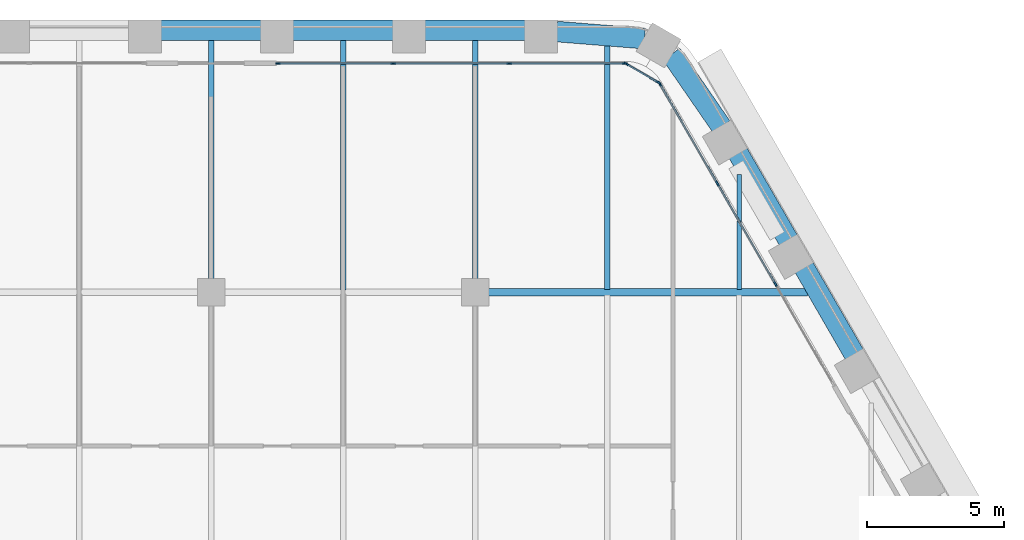
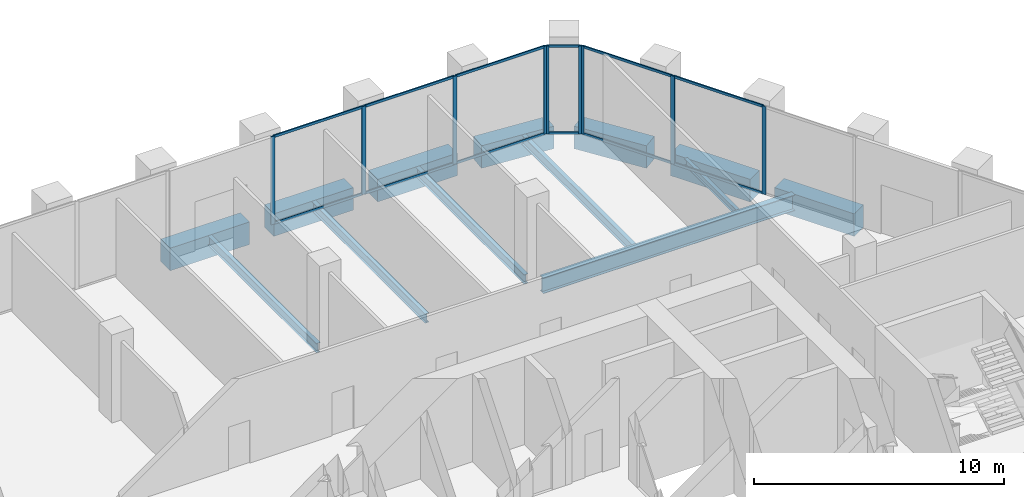
# One storey, part 9 of 22: 21 members, 13 beams, 3 elements without a shape of their own.
"""IFC4 building model written with IfcOpenShell, lengths in metres."""

from ifc_helpers import new_model, si_unit, direction, frame, origin, origin_2d, place, context, subcontext, project, spatial, rectangle, i_section, extrude, material, material_profile, profile_set, type_object, element, aggregate, save


model = new_model("IFC4")

# Units and contexts
model_context = context("Model", 3, precision=1e-05, world=origin(), true_north=direction((0.0, 1.0)))
body_context = subcontext(model_context, "Body", "Model", "MODEL_VIEW")
ifc_project = project(units=[si_unit("LENGTHUNIT", "METRE"), si_unit("AREAUNIT", "SQUARE_METRE"), si_unit("VOLUMEUNIT", "CUBIC_METRE"), si_unit("PLANEANGLEUNIT", "RADIAN"), si_unit("MASSUNIT", "GRAM", prefix="KILO")], contexts=[model_context])

# Site, building, storey
site_placement = place(None, origin())
site = spatial("IfcSite", under=ifc_project, at=site_placement, CompositionType="ELEMENT")
building_placement = place(site_placement, origin())
building = spatial("IfcBuilding", under=site, at=building_placement, Name="Kolab Exchange Tower", CompositionType="ELEMENT")
storey_placement = place(building_placement, frame((0.0, 0.0, 113.89990234375)))
storey = spatial("IfcBuildingStorey", under=building, at=storey_placement, Name="L22", CompositionType="ELEMENT", Elevation=113.89990234375)

# Beams
ifc_material_1 = material(Name="Steel S355", Category="steel")
ifc_material_profile_1 = material_profile(ifc_material_1, i_section(OverallWidth=0.1650390625, OverallDepth=0.31005859375, WebThickness=0.005859375, FlangeThickness=0.009765625, at=origin_2d()), Name="W310X39")
ifc_profile_set_1 = profile_set([ifc_material_profile_1], Name="Steel S355")
beam_type_1 = type_object("IfcBeamType", Name="FLOOR BEAM W310X39", PredefinedType="BEAM", material=ifc_profile_set_1)
beam_1_placement = place(storey_placement, frame((19.199951171875, 19.29345703125, -0.35498046875), z_axis=(0.0, 1.0, 0.0), x_axis=(-1.0, 0.0, 0.0)))
element("IfcBeam", 1, at=beam_1_placement, inside=storey, type_object=beam_type_1, Name="beam/L22/fr/045", PredefinedType="BEAM", context=body_context, shape_type="SweptSolid", body=[
    extrude(i_section(OverallWidth=0.1650390625, OverallDepth=0.31005859375, WebThickness=0.005859375, FlangeThickness=0.009765625, at=origin_2d()), origin(), (0.0, 0.0, 1.0), 4.18798828125),
])
ifc_material_profile_2 = material_profile(ifc_material_1, i_section(OverallWidth=0.18994140625, OverallDepth=0.45703125, WebThickness=0.009033203125, FlangeThickness=0.014404296875, at=origin_2d()), Name="W460X74")
ifc_profile_set_2 = profile_set([ifc_material_profile_2], Name="Steel S355")
beam_type_2 = type_object("IfcBeamType", Name="FLOOR BEAM W460X74", PredefinedType="BEAM", material=ifc_profile_set_2)
beam_2_placement = place(storey_placement, frame((0.0, 19.659912109375, -0.428466796875), z_axis=(0.0, 1.0, 0.0), x_axis=(-1.0, 0.0, 0.0)))
element("IfcBeam", 2, at=beam_2_placement, inside=storey, type_object=beam_type_2, Name="beam/L22/fr/027", PredefinedType="BEAM", context=body_context, shape_type="SweptSolid", body=[
    extrude(i_section(OverallWidth=0.18994140625, OverallDepth=0.45703125, WebThickness=0.009033203125, FlangeThickness=0.014404296875, at=origin_2d()), origin(), (0.0, 0.0, 1.0), 8.728515625),
])
beam_3_placement = place(storey_placement, frame((4.800048828125, 19.27392578125, -0.428466796875), z_axis=(0.0, 1.0, 0.0), x_axis=(-1.0, 0.0, 0.0)))
element("IfcBeam", 3, at=beam_3_placement, inside=storey, type_object=beam_type_2, Name="beam/L22/fr/031", PredefinedType="BEAM", context=body_context, shape_type="SweptSolid", body=[
    extrude(i_section(OverallWidth=0.18994140625, OverallDepth=0.45703125, WebThickness=0.009033203125, FlangeThickness=0.014404296875, at=origin_2d()), origin(), (0.0, 0.0, 1.0), 9.114501953125),
])
beam_4_placement = place(storey_placement, frame((9.60009765625, 19.659912109375, -0.428466796875), z_axis=(0.0, 1.0, 0.0), x_axis=(-1.0, 0.0, 0.0)))
element("IfcBeam", 4, at=beam_4_placement, inside=storey, type_object=beam_type_2, Name="beam/L22/fr/035", PredefinedType="BEAM", context=body_context, shape_type="SweptSolid", body=[
    extrude(i_section(OverallWidth=0.18994140625, OverallDepth=0.45703125, WebThickness=0.009033203125, FlangeThickness=0.014404296875, at=origin_2d()), origin(), (0.0, 0.0, 1.0), 8.728515625),
])
beam_5_placement = place(storey_placement, frame((14.39990234375, 19.29345703125, -0.428466796875), z_axis=(0.0, 1.0, 0.0), x_axis=(-1.0, 0.0, 0.0)))
element("IfcBeam", 5, at=beam_5_placement, inside=storey, type_object=beam_type_2, Name="beam/L22/fr/039", PredefinedType="BEAM", context=body_context, shape_type="SweptSolid", body=[
    extrude(i_section(OverallWidth=0.18994140625, OverallDepth=0.45703125, WebThickness=0.009033203125, FlangeThickness=0.014404296875, at=origin_2d()), origin(), (0.0, 0.0, 1.0), 8.901123046875),
])
ifc_material_profile_3 = material_profile(ifc_material_1, i_section(OverallWidth=0.26708984375, OverallDepth=0.761962890625, WebThickness=0.014404296875, FlangeThickness=0.021484375, at=origin_2d()), Name="W760X173")
ifc_profile_set_3 = profile_set([ifc_material_profile_3], Name="Steel S355")
beam_type_3 = type_object("IfcBeamType", Name="FLOOR GIRDER W760X173", PredefinedType="BEAM", material=ifc_profile_set_3)
beam_6_placement = place(storey_placement, frame((10.06005859375, 19.199951171875, -0.580810546875), z_axis=(1.0, 0.0, 0.0), x_axis=(0.0, 1.0, 0.0)))
element("IfcBeam", 6, at=beam_6_placement, inside=storey, type_object=beam_type_3, Name="beam/L22/gd/013", PredefinedType="BEAM", context=body_context, shape_type="SweptSolid", body=[
    extrude(i_section(OverallWidth=0.26708984375, OverallDepth=0.761962890625, WebThickness=0.014404296875, FlangeThickness=0.021484375, at=origin_2d()), origin(), (0.0, 0.0, 1.0), 11.628662109375),
])
ifc_material_2 = material(Name="Concrete C70/85", Category="concrete")
ifc_material_profile_4 = material_profile(ifc_material_2, rectangle(XDim=0.75, YDim=1.10009765625, at=origin_2d()), Name="RC750X1100")
ifc_profile_set_4 = profile_set([ifc_material_profile_4], Name="Concrete C70/85")
beam_type_4 = type_object("IfcBeamType", Name="SPANDREL BEAM 750X1100 C70/85", PredefinedType="BEAM", material=ifc_profile_set_4)
beam_7_placement = place(storey_placement, frame((-1.840087890625, 28.723388671875, -0.75), z_axis=(1.0, 0.0, 0.0), x_axis=(0.0, 1.0, 0.0)))
element("IfcBeam", 7, at=beam_7_placement, inside=storey, type_object=beam_type_4, Name="beam/L22/sp/F1-04", PredefinedType="BEAM", context=body_context, shape_type="SweptSolid", body=[
    extrude(rectangle(XDim=0.75, YDim=1.10009765625, at=origin_2d()), origin(), (0.0, 0.0, 1.0), 3.68017578125),
])
for number, where, z_axis, x_axis, name in (
    (8, (2.9599609375, 28.723388671875, -0.75), (1.0, 0.0, 0.0), (0.0, 1.0, 0.0), "beam/L22/sp/F1-05"),
    (9, (7.760009765625, 28.723388671875, -0.75), (1.0, 0.0, 0.0), (0.0, 1.0, 0.0), "beam/L22/sp/F1-06"),
):
    element("IfcBeam", number, at=place(storey_placement, frame(where, z_axis=z_axis, x_axis=x_axis)), inside=storey, type_object=beam_type_4, Name=name, PredefinedType="BEAM", context=body_context, shape_type="SweptSolid", body=[
        extrude(rectangle(XDim=0.75, YDim=1.10009765625, at=origin_2d()), origin(), (0.0, 0.0, 1.0), 3.679931640625),
    ])
for number, where, z_axis, x_axis, name in (
    (10, (12.56005859375, 28.678466796875, -0.75), (0.996791038408, -0.080047646748, 0.0), (0.080047646748, 0.996791038408, 0.0), "beam/L22/sp/F1-07"),
    (11, (16.73486328125, 27.85791015625, -0.75), (0.567661826262, -0.823261836237, 0.0), (0.823261836237, 0.567661826262, 0.0), "beam/L22/sp/F2-01"),
):
    element("IfcBeam", number, at=place(storey_placement, frame(where, z_axis=z_axis, x_axis=x_axis)), inside=storey, type_object=beam_type_4, Name=name, PredefinedType="BEAM", context=body_context, shape_type="SweptSolid", body=[
        extrude(rectangle(XDim=0.75, YDim=1.10009765625, at=origin_2d()), origin(), (0.0, 0.0, 1.0), 3.20849609375),
    ])
for number, where, z_axis, x_axis, name in (
    (12, (19.1552734375, 24.26904296875, -0.75), (0.500013413428, -0.866017659399, 0.0), (0.866017659399, 0.500013413428, 0.0), "beam/L22/sp/F2-02"),
    (13, (21.55517578125, 20.112060546875, -0.75), (0.500013413428, -0.866017659399, 0.0), (0.866017659399, 0.500013413428, 0.0), "beam/L22/sp/F2-03"),
):
    element("IfcBeam", number, at=place(storey_placement, frame(where, z_axis=z_axis, x_axis=x_axis)), inside=storey, type_object=beam_type_4, Name=name, PredefinedType="BEAM", context=body_context, shape_type="SweptSolid", body=[
        extrude(rectangle(XDim=0.75, YDim=1.10009765625, at=origin_2d()), origin(), (0.0, 0.0, 1.0), 3.68017578125),
    ])

# Curtain wall, members
ifc_material_3 = material(Name="Aluminium EN AW-6063 T6", Category="aluminium")
curtain_wall_type = type_object("IfcCurtainWallType", Name="UNITISED LOWER MID ZONE CURTAIN WALL", PredefinedType="NOTDEFINED", material=ifc_material_3)
curtain_wall_1_placement = place(storey_placement, origin())
curtain_wall_1 = element("IfcCurtainWall", 14, at=curtain_wall_1_placement, inside=storey, type_object=curtain_wall_type, Name="cw/L22/F1-2", PredefinedType="NOTDEFINED")
ifc_material_profile_5 = material_profile(ifc_material_3, rectangle(XDim=0.06005859375, YDim=0.179931640625, at=origin_2d()), Name="RECT 60X180")
ifc_profile_set_5 = profile_set([ifc_material_profile_5], Name="Aluminium EN AW-6063 T6")
member_type_1 = type_object("IfcMemberType", Name="UNITISED LOWER MID ZONE MULLION 60 X 180", PredefinedType="MULLION", material=ifc_profile_set_5)
member_1_placement = place(storey_placement, frame((2.429931640625, 27.5185546875, 0.0), z_axis=(0.0, 0.0, 1.0), x_axis=(0.0, 1.0, 0.0)))
member_1 = element("IfcMember", 15, at=member_1_placement, type_object=member_type_1, Name="CW2 mullion 1", PredefinedType="MULLION", context=body_context, shape_type="SweptSolid", body=[
    extrude(rectangle(XDim=0.06005859375, YDim=0.179931640625, at=origin_2d()), origin(), (0.0, 0.0, 1.0), 4.300048828125),
])
member_2_placement = place(storey_placement, frame((6.62255859375, 27.5185546875, 0.0), z_axis=(0.0, 0.0, 1.0), x_axis=(0.0, 1.0, 0.0)))
member_2 = element("IfcMember", 16, at=member_2_placement, type_object=member_type_1, Name="CW2 mullion 2", PredefinedType="MULLION", context=body_context, shape_type="SweptSolid", body=[
    extrude(rectangle(XDim=0.06005859375, YDim=0.179931640625, at=origin_2d()), origin(), (0.0, 0.0, 1.0), 4.300048828125),
])
member_3_placement = place(storey_placement, frame((10.84521484375, 27.5185546875, 0.0), z_axis=(0.0, 0.0, 1.0), x_axis=(0.0, 1.0, 0.0)))
member_3 = element("IfcMember", 17, at=member_3_placement, type_object=member_type_1, Name="CW2 mullion 3", PredefinedType="MULLION", context=body_context, shape_type="SweptSolid", body=[
    extrude(rectangle(XDim=0.06005859375, YDim=0.179931640625, at=origin_2d()), origin(), (0.0, 0.0, 1.0), 4.300048828125),
])
member_4_placement = place(storey_placement, frame((15.037841796875, 27.5185546875, 0.0), z_axis=(0.0, 0.0, 1.0), x_axis=(0.0, 1.0, 0.0)))
member_4 = element("IfcMember", 18, at=member_4_placement, type_object=member_type_1, Name="CW2 mullion 4", PredefinedType="MULLION", context=body_context, shape_type="SweptSolid", body=[
    extrude(rectangle(XDim=0.06005859375, YDim=0.179931640625, at=origin_2d()), origin(), (0.0, 0.0, 1.0), 4.300048828125),
])

curtain_wall_2_placement = place(storey_placement, origin())
curtain_wall_2 = element("IfcCurtainWall", 19, at=curtain_wall_2_placement, inside=storey, type_object=curtain_wall_type, Name="cw/L22/F2-1", PredefinedType="NOTDEFINED")
member_5_placement = place(storey_placement, frame((16.312744140625, 26.782470703125, 0.0), z_axis=(0.0, 0.0, 1.0), x_axis=(0.866025393644, 0.500000017564, 0.0)))
member_5 = element("IfcMember", 20, at=member_5_placement, type_object=member_type_1, Name="CW2 mullion 1", PredefinedType="MULLION", context=body_context, shape_type="SweptSolid", body=[
    extrude(rectangle(XDim=0.06005859375, YDim=0.179931640625, at=origin_2d()), origin(), (0.0, 0.0, 1.0), 4.300048828125),
])
member_6_placement = place(storey_placement, frame((18.408935546875, 23.151611328125, 0.0), z_axis=(0.0, 0.0, 1.0), x_axis=(0.866025393644, 0.500000017564, 0.0)))
member_6 = element("IfcMember", 21, at=member_6_placement, type_object=member_type_1, Name="CW2 mullion 2", PredefinedType="MULLION", context=body_context, shape_type="SweptSolid", body=[
    extrude(rectangle(XDim=0.06005859375, YDim=0.179931640625, at=origin_2d()), origin(), (0.0, 0.0, 1.0), 4.300048828125),
])
member_7_placement = place(storey_placement, frame((20.520263671875, 19.49462890625, 0.0), z_axis=(0.0, 0.0, 1.0), x_axis=(0.866025393644, 0.500000017564, 0.0)))
member_7 = element("IfcMember", 22, at=member_7_placement, type_object=member_type_1, Name="CW2 mullion 3", PredefinedType="MULLION", context=body_context, shape_type="SweptSolid", body=[
    extrude(rectangle(XDim=0.06005859375, YDim=0.179931640625, at=origin_2d()), origin(), (0.0, 0.0, 1.0), 4.300048828125),
])

curtain_wall_3_placement = place(storey_placement, origin())
curtain_wall_3 = element("IfcCurtainWall", 23, at=curtain_wall_3_placement, inside=storey, type_object=curtain_wall_type, Name="cw/L22/F1F2-corner", PredefinedType="NOTDEFINED")
member_8_placement = place(storey_placement, frame((15.093994140625, 27.50341796875, 0.0), z_axis=(0.0, 0.0, 1.0), x_axis=(0.50000002237, 0.866025390869, 0.0)))
member_8 = element("IfcMember", 24, at=member_8_placement, type_object=member_type_1, Name="CW2 mullion 1", PredefinedType="MULLION", context=body_context, shape_type="SweptSolid", body=[
    extrude(rectangle(XDim=0.06005859375, YDim=0.179931640625, at=origin_2d()), origin(), (0.0, 0.0, 1.0), 4.300048828125),
])
member_9_placement = place(storey_placement, frame((16.271728515625, 26.823486328125, 0.0), z_axis=(0.0, 0.0, 1.0), x_axis=(0.50000002237, 0.866025390869, 0.0)))
member_9 = element("IfcMember", 25, at=member_9_placement, type_object=member_type_1, Name="CW2 mullion 2", PredefinedType="MULLION", context=body_context, shape_type="SweptSolid", body=[
    extrude(rectangle(XDim=0.06005859375, YDim=0.179931640625, at=origin_2d()), origin(), (0.0, 0.0, 1.0), 4.300048828125),
])

# Member
ifc_material_profile_6 = material_profile(ifc_material_3, rectangle(XDim=0.06005859375, YDim=0.1201171875, at=origin_2d()), Name="RECT 60X120")
ifc_profile_set_6 = profile_set([ifc_material_profile_6], Name="Aluminium EN AW-6063 T6")
member_type_2 = type_object("IfcMemberType", Name="UNITISED LOWER MID ZONE TRANSOM 60 X 120", PredefinedType="USERDEFINED", material=ifc_profile_set_6)
member_10_placement = place(storey_placement, frame((2.4599609375, 27.5185546875, 0.030029296875), z_axis=(1.0, 0.0, 0.0), x_axis=(0.0, 1.0, 0.0)))
member_10 = element("IfcMember", 26, at=member_10_placement, type_object=member_type_2, Name="CW2 transom 1.1", ObjectType="TRANSOM", PredefinedType="USERDEFINED", context=body_context, shape_type="SweptSolid", body=[
    extrude(rectangle(XDim=0.06005859375, YDim=0.1201171875, at=origin_2d()), origin(), (0.0, 0.0, 1.0), 4.132568359375),
])

member_11_placement = place(storey_placement, frame((2.4599609375, 27.5185546875, 4.27001953125), z_axis=(1.0, 0.0, 0.0), x_axis=(0.0, 1.0, 0.0)))
member_11 = element("IfcMember", 27, at=member_11_placement, type_object=member_type_2, Name="CW2 transom 1.2", ObjectType="TRANSOM", PredefinedType="USERDEFINED", context=body_context, shape_type="SweptSolid", body=[
    extrude(rectangle(XDim=0.06005859375, YDim=0.1201171875, at=origin_2d()), origin(), (0.0, 0.0, 1.0), 4.132568359375),
])

member_12_placement = place(storey_placement, frame((6.652587890625, 27.5185546875, 0.030029296875), z_axis=(1.0, 0.0, 0.0), x_axis=(0.0, 1.0, 0.0)))
member_12 = element("IfcMember", 28, at=member_12_placement, type_object=member_type_2, Name="CW2 transom 2.1", ObjectType="TRANSOM", PredefinedType="USERDEFINED", context=body_context, shape_type="SweptSolid", body=[
    extrude(rectangle(XDim=0.06005859375, YDim=0.1201171875, at=origin_2d()), origin(), (0.0, 0.0, 1.0), 4.16259765625),
])

member_13_placement = place(storey_placement, frame((6.652587890625, 27.5185546875, 4.27001953125), z_axis=(1.0, 0.0, 0.0), x_axis=(0.0, 1.0, 0.0)))
member_13 = element("IfcMember", 29, at=member_13_placement, type_object=member_type_2, Name="CW2 transom 2.2", ObjectType="TRANSOM", PredefinedType="USERDEFINED", context=body_context, shape_type="SweptSolid", body=[
    extrude(rectangle(XDim=0.06005859375, YDim=0.1201171875, at=origin_2d()), origin(), (0.0, 0.0, 1.0), 4.16259765625),
])

member_14_placement = place(storey_placement, frame((10.875244140625, 27.5185546875, 0.030029296875), z_axis=(1.0, 0.0, 0.0), x_axis=(0.0, 1.0, 0.0)))
member_14 = element("IfcMember", 30, at=member_14_placement, type_object=member_type_2, Name="CW2 transom 3.1", ObjectType="TRANSOM", PredefinedType="USERDEFINED", context=body_context, shape_type="SweptSolid", body=[
    extrude(rectangle(XDim=0.06005859375, YDim=0.1201171875, at=origin_2d()), origin(), (0.0, 0.0, 1.0), 4.1328125),
])

member_15_placement = place(storey_placement, frame((10.875244140625, 27.5185546875, 4.27001953125), z_axis=(1.0, 0.0, 0.0), x_axis=(0.0, 1.0, 0.0)))
member_15 = element("IfcMember", 31, at=member_15_placement, type_object=member_type_2, Name="CW2 transom 3.2", ObjectType="TRANSOM", PredefinedType="USERDEFINED", context=body_context, shape_type="SweptSolid", body=[
    extrude(rectangle(XDim=0.06005859375, YDim=0.1201171875, at=origin_2d()), origin(), (0.0, 0.0, 1.0), 4.1328125),
])

aggregate(curtain_wall_1, [member_1, member_2, member_3, member_4, member_10, member_11, member_12, member_13, member_14, member_15])

member_16_placement = place(storey_placement, frame((16.32763671875, 26.756591796875, 0.030029296875), z_axis=(0.500001996123, -0.866024251319, 0.0), x_axis=(0.866024251319, 0.500001996123, 0.0)))
member_16 = element("IfcMember", 32, at=member_16_placement, type_object=member_type_2, Name="CW2 transom 1.1", ObjectType="TRANSOM", PredefinedType="USERDEFINED", context=body_context, shape_type="SweptSolid", body=[
    extrude(rectangle(XDim=0.06005859375, YDim=0.1201171875, at=origin_2d()), origin(), (0.0, 0.0, 1.0), 4.1328125),
])

member_17_placement = place(storey_placement, frame((16.32763671875, 26.756591796875, 4.27001953125), z_axis=(0.500001996123, -0.866024251319, 0.0), x_axis=(0.866024251319, 0.500001996123, 0.0)))
member_17 = element("IfcMember", 33, at=member_17_placement, type_object=member_type_2, Name="CW2 transom 1.2", ObjectType="TRANSOM", PredefinedType="USERDEFINED", context=body_context, shape_type="SweptSolid", body=[
    extrude(rectangle(XDim=0.06005859375, YDim=0.1201171875, at=origin_2d()), origin(), (0.0, 0.0, 1.0), 4.1328125),
])

member_18_placement = place(storey_placement, frame((18.424072265625, 23.12548828125, 0.030029296875), z_axis=(0.49999322259, -0.866029316688, 0.0), x_axis=(0.866029316688, 0.49999322259, 0.0)))
member_18 = element("IfcMember", 34, at=member_18_placement, type_object=member_type_2, Name="CW2 transom 2.1", ObjectType="TRANSOM", PredefinedType="USERDEFINED", context=body_context, shape_type="SweptSolid", body=[
    extrude(rectangle(XDim=0.06005859375, YDim=0.1201171875, at=origin_2d()), origin(), (0.0, 0.0, 1.0), 4.16259765625),
])

member_19_placement = place(storey_placement, frame((18.424072265625, 23.12548828125, 4.27001953125), z_axis=(0.49999322259, -0.866029316688, 0.0), x_axis=(0.866029316688, 0.49999322259, 0.0)))
member_19 = element("IfcMember", 35, at=member_19_placement, type_object=member_type_2, Name="CW2 transom 2.2", ObjectType="TRANSOM", PredefinedType="USERDEFINED", context=body_context, shape_type="SweptSolid", body=[
    extrude(rectangle(XDim=0.06005859375, YDim=0.1201171875, at=origin_2d()), origin(), (0.0, 0.0, 1.0), 4.16259765625),
])

aggregate(curtain_wall_2, [member_5, member_6, member_7, member_16, member_17, member_18, member_19])

member_20_placement = place(storey_placement, frame((15.119873046875, 27.488525390625, 0.030029296875), z_axis=(0.866004217611, -0.500036693733, 0.0), x_axis=(0.500036693733, 0.866004217611, 0.0)))
member_20 = element("IfcMember", 36, at=member_20_placement, type_object=member_type_2, Name="CW2 transom 1.1", ObjectType="TRANSOM", PredefinedType="USERDEFINED", context=body_context, shape_type="SweptSolid", body=[
    extrude(rectangle(XDim=0.06005859375, YDim=0.1201171875, at=origin_2d()), origin(), (0.0, 0.0, 1.0), 1.30029296875),
])

member_21_placement = place(storey_placement, frame((15.119873046875, 27.488525390625, 4.27001953125), z_axis=(0.866004217611, -0.500036693733, 0.0), x_axis=(0.500036693733, 0.866004217611, 0.0)))
member_21 = element("IfcMember", 37, at=member_21_placement, type_object=member_type_2, Name="CW2 transom 1.2", ObjectType="TRANSOM", PredefinedType="USERDEFINED", context=body_context, shape_type="SweptSolid", body=[
    extrude(rectangle(XDim=0.06005859375, YDim=0.1201171875, at=origin_2d()), origin(), (0.0, 0.0, 1.0), 1.30029296875),
])

aggregate(curtain_wall_3, [member_8, member_9, member_20, member_21])

save(model, "model.ifc")
